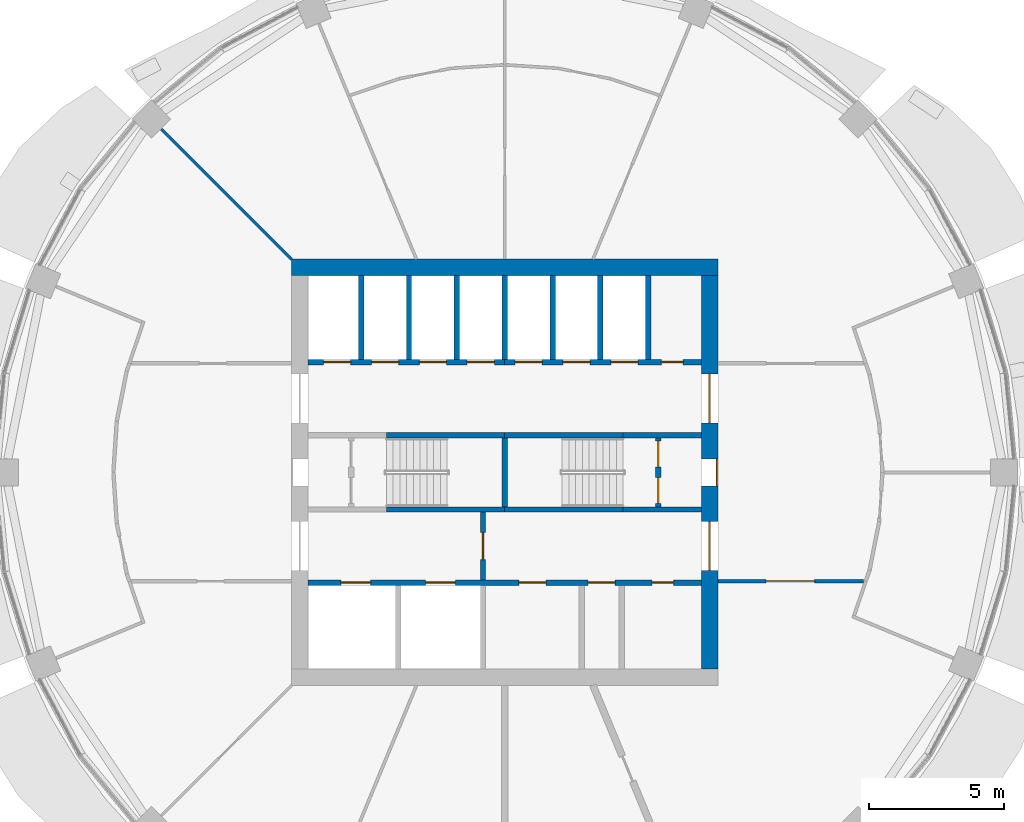
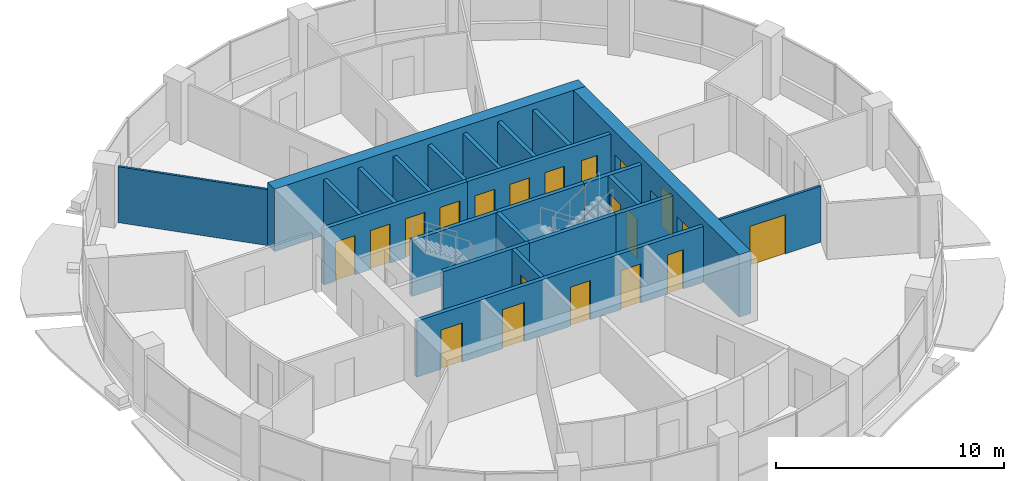
# One storey, part 9 of 15: 23 walls, 20 doors, 20 openings.
"""IFC4 building model written with IfcOpenShell, lengths in metres."""

import ifcopenshell
import ifcopenshell.guid

model = None  # the IFC model being written
_history = None  # IfcOwnerHistory: only IFC2X3 demands one
_inside = {}  # id of a spatial element -> (the spatial element, [elements in it])
_under = {}  # id of a project, library or spatial element -> (it, [spatial elements below it])
_declared = {}  # id of a project -> (the project, [libraries it declares])
_typed = {}  # id of a type object -> (the type object, [elements of that type])
_made_of = {}  # id of a material, layer set ... -> (it, [elements and type objects made of it])


def new_model(schema):
    """Start an empty IFC model of exactly this schema.

    Asked for "IFC4X3", IfcOpenShell would pick the latest addendum, in which some entities
    have other attributes; the version numbers below select the first issue.
    IFC2X3 requires an IfcOwnerHistory on every rooted entity: one is made here for all.
    """
    global model, _history
    if schema == "IFC4X3":
        model = ifcopenshell.file(schema_version=(4, 3, 0, 0))
    else:
        model = ifcopenshell.file(schema=schema)
    _inside.clear()
    _under.clear()
    _declared.clear()
    _typed.clear()
    _made_of.clear()
    _history = None
    if model.schema == "IFC2X3":
        org = make("IfcOrganization", Name="unknown")
        user = make(
            "IfcPersonAndOrganization",
            ThePerson=make("IfcPerson", FamilyName="unknown"),
            TheOrganization=org,
        )
        app = make(
            "IfcApplication",
            ApplicationDeveloper=org,
            Version="unknown",
            ApplicationFullName="unknown",
            ApplicationIdentifier="unknown",
        )
        _history = make(
            "IfcOwnerHistory",
            OwningUser=user,
            OwningApplication=app,
            ChangeAction="ADDED",
            CreationDate=0,
        )
    return model


def make(cls, **values):
    """One entity of the class cls with the attributes given. An attribute that is None is left unset."""
    return model.create_entity(
        cls, **{name: value for name, value in values.items() if value is not None}
    )


def rooted(cls, **values):
    """An entity with a GlobalId (a new one), such as an element, a storey or a relation."""
    return make(cls, GlobalId=ifcopenshell.guid.new(), OwnerHistory=_history, **values)


def si_unit(unit_type, name, prefix=None):
    """IfcSIUnit, for example si_unit("LENGTHUNIT", "METRE", prefix="MILLI")."""
    return make("IfcSIUnit", UnitType=unit_type, Prefix=prefix, Name=name)


def assignment(units):
    """IfcUnitAssignment: the units of a project."""
    return None if units is None else make("IfcUnitAssignment", Units=units)


def point(xyz):
    """IfcCartesianPoint."""
    return None if xyz is None else make("IfcCartesianPoint", Coordinates=xyz)


def direction(xyz):
    """IfcDirection."""
    return None if xyz is None else make("IfcDirection", DirectionRatios=xyz)


def frame(location, z_axis=None, x_axis=None):
    """IfcAxis2Placement3D, a coordinate frame: its origin and axes. An axis left out is left unset."""
    return make(
        "IfcAxis2Placement3D",
        Location=point(location),
        Axis=direction(z_axis),
        RefDirection=direction(x_axis),
    )


def frame_2d(location, x_axis=None):
    """IfcAxis2Placement2D, a coordinate frame in the plane: its origin and x axis."""
    return make(
        "IfcAxis2Placement2D", Location=point(location), RefDirection=direction(x_axis)
    )


def origin():
    """The frame at (0, 0, 0) with its axes left unset."""
    return frame((0.0, 0.0, 0.0))


def place(relative_to, where):
    """IfcLocalPlacement: puts the frame where relative to a parent placement (None: the world)."""
    return make(
        "IfcLocalPlacement", PlacementRelTo=relative_to, RelativePlacement=where
    )


def context(
    kind, dimensions, precision=None, world=None, true_north=None, identifier=None
):
    """IfcGeometricRepresentationContext, for example the 3D "Model" context."""
    return make(
        "IfcGeometricRepresentationContext",
        ContextIdentifier=identifier,
        ContextType=kind,
        CoordinateSpaceDimension=dimensions,
        Precision=precision,
        WorldCoordinateSystem=world,
        TrueNorth=true_north,
    )


def subcontext(parent, identifier, kind, view, scale=None):
    """IfcGeometricRepresentationSubContext, for example "Body" below "Model"."""
    return make(
        "IfcGeometricRepresentationSubContext",
        ContextIdentifier=identifier,
        ContextType=kind,
        ParentContext=parent,
        TargetScale=scale,
        TargetView=view,
    )


def project(units=None, contexts=None):
    """IfcProject with its units and contexts."""
    return rooted(
        "IfcProject",
        Name="project",
        RepresentationContexts=contexts,
        UnitsInContext=assignment(units),
    )


def spatial(cls, under=None, at=None, **own):
    """A site, building, storey or space (cls), placed at a placement, below another one or the project."""
    s = rooted(cls, ObjectPlacement=at, **own)
    if under is not None:
        _under.setdefault(under.id(), (under, []))[1].append(s)
    return s


def profile(cls, at=None, kind="AREA", **sizes):
    """A parametric profile (cls). Its sizes go by their IFC names, for example OverallWidth=200.0."""
    return make(cls, ProfileType=kind, Position=at, **sizes)


def rectangle(**sizes):
    """IfcRectangleProfileDef."""
    return profile("IfcRectangleProfileDef", **sizes)


def extrude(swept, where, along, depth):
    """IfcExtrudedAreaSolid: the profile swept, set in the frame where, extruded along a direction by depth."""
    return make(
        "IfcExtrudedAreaSolid",
        SweptArea=swept,
        Position=where,
        ExtrudedDirection=direction(along),
        Depth=depth,
    )


def shape(context_of_items, identifier, shape_type, items):
    """IfcShapeRepresentation: the items that make up one representation, for example the "Body"."""
    return make(
        "IfcShapeRepresentation",
        ContextOfItems=context_of_items,
        RepresentationIdentifier=identifier,
        RepresentationType=shape_type,
        Items=items,
    )


def material(Name=None, Category=None):
    """IfcMaterial."""
    return make("IfcMaterial", Name=Name, Category=Category)


def layer(
    of_material, thickness, ventilated=None, Name=None, Category=None, Priority=None
):
    """IfcMaterialLayer: one layer of a wall or slab, of a material (None: an air gap)."""
    return make(
        "IfcMaterialLayer",
        Material=of_material,
        LayerThickness=thickness,
        IsVentilated=ventilated,
        Name=Name,
        Category=Category,
        Priority=Priority,
    )


def layer_set(layers, Name=None):
    """IfcMaterialLayerSet."""
    return make("IfcMaterialLayerSet", MaterialLayers=layers, LayerSetName=Name)


def made_of(thing, what):
    """Note that an element or type object is made of a material, layer set ...; save() writes the relation."""
    if what is not None:
        _made_of.setdefault(what.id(), (what, []))[1].append(thing)
    return thing


def type_object(cls, material=None, **own):
    """A type object (cls), such as IfcWallType, which elements share."""
    return made_of(rooted(cls, **own), material)


def element(
    cls,
    number,
    at=None,
    inside=None,
    cuts=None,
    type_object=None,
    material=None,
    context=None,
    identifier="Body",
    shape_type=None,
    held_by="IfcProductDefinitionShape",
    body=None,
    shapes=None,
    **own,
):
    """One element of the class cls, such as IfcWall. Its Tag is "e" and its number.

    at: its placement. inside: the storey or other place that contains it. cuts: it is an
    opening in that element (IfcRelVoidsElement). A single representation is given by context,
    identifier, shape_type and body (its items); several are given by shapes. held_by: the class
    of the entity that holds the representations. save() writes the other relations.
    """
    e = rooted(cls, Tag="e%d" % number, ObjectPlacement=at, **own)
    if body is not None:
        shapes = [shape(context, identifier, shape_type, body)]
    if shapes is not None:
        e.Representation = make(held_by, Representations=shapes)
    if inside is not None:
        _inside.setdefault(inside.id(), (inside, []))[1].append(e)
    if cuts is not None:
        rooted(
            "IfcRelVoidsElement", RelatingBuildingElement=cuts, RelatedOpeningElement=e
        )
    if type_object is not None:
        _typed.setdefault(type_object.id(), (type_object, []))[1].append(e)
    return made_of(e, material)


def fill(opening, filler):
    """IfcRelFillsElement: the door or window that sits in an opening."""
    return rooted(
        "IfcRelFillsElement",
        RelatingOpeningElement=opening,
        RelatedBuildingElement=filler,
    )


def aggregate(whole, parts):
    """IfcRelAggregates: a whole, such as a stair, and the parts it consists of."""
    return rooted("IfcRelAggregates", RelatingObject=whole, RelatedObjects=parts)


def save(model, path):
    """Write the relations noted so far, then the file.

    IfcRelAggregates (storeys below a building ...), IfcRelContainedInSpatialStructure (elements
    in a storey), IfcRelDefinesByType, IfcRelAssociatesMaterial and IfcRelDeclares: one each for
    every whole, place, type object, material and project.
    """
    for whole, parts in _under.values():
        aggregate(whole, parts)
    for where, things in _inside.values():
        rooted(
            "IfcRelContainedInSpatialStructure",
            RelatedElements=things,
            RelatingStructure=where,
        )
    for kind, things in _typed.values():
        rooted("IfcRelDefinesByType", RelatedObjects=things, RelatingType=kind)
    for what, things in _made_of.values():
        rooted("IfcRelAssociatesMaterial", RelatedObjects=things, RelatingMaterial=what)
    for by, libraries in _declared.values():
        rooted("IfcRelDeclares", RelatingContext=by, RelatedDefinitions=libraries)
    model.write(path)


model = new_model("IFC4")

# Units and contexts
model_context = context("Model", 3, precision=1e-05, world=origin(), true_north=direction((0.0, 1.0)))
body_context = subcontext(model_context, "Body", "Model", "MODEL_VIEW")
ifc_project = project(units=[si_unit("LENGTHUNIT", "METRE"), si_unit("AREAUNIT", "SQUARE_METRE"), si_unit("VOLUMEUNIT", "CUBIC_METRE"), si_unit("PLANEANGLEUNIT", "RADIAN"), si_unit("MASSUNIT", "GRAM", prefix="KILO")], contexts=[model_context])

# Site, building, storey
site_placement = place(None, origin())
site = spatial("IfcSite", under=ifc_project, at=site_placement, CompositionType="ELEMENT")
building_placement = place(site_placement, origin())
building = spatial("IfcBuilding", under=site, at=building_placement, Name="Polderwave Tower", CompositionType="ELEMENT")
storey_placement = place(building_placement, frame((0.0, 0.0, 124.300048828125)))
storey = spatial("IfcBuildingStorey", under=building, at=storey_placement, Name="L32", CompositionType="ELEMENT", Elevation=124.300048828125)

# Wall
ifc_material_1 = material(Name="Concrete C60/75", Category="concrete")
ifc_layer_1 = layer(ifc_material_1, 0.60009765625)
ifc_layer_set_1 = layer_set([ifc_layer_1], Name="CORE WALL 600 C60/75")
wall_type_1 = type_object("IfcWallType", Name="CORE WALL 600 C60/75", PredefinedType="SHEAR", material=ifc_layer_set_1)
wall_1_placement = place(storey_placement, frame((-7.8740234375, 7.573974609375, 0.0), z_axis=(0.0, 0.0, 1.0), x_axis=(1.0, 0.0, 0.0)))
element("IfcWall", 1, at=wall_1_placement, inside=storey, type_object=wall_type_1, Name="ST-CORE-L32-N", PredefinedType="SHEAR", context=body_context, shape_type="SweptSolid", body=[
    extrude(rectangle(XDim=15.748046875, YDim=0.60009765625, at=frame_2d((7.8740234375, 0.0))), origin(), (0.0, 0.0, 1.0), 3.349853515625),
])

# Wall, openings, doors
wall_2_placement = place(storey_placement, frame((7.573974609375, -7.27392578125, 0.0), z_axis=(0.0, 0.0, 1.0), x_axis=(0.0, 1.0, 0.0)))
wall_2 = element("IfcWall", 2, at=wall_2_placement, inside=storey, type_object=wall_type_1, Name="ST-CORE-L32-E", PredefinedType="SHEAR", context=body_context, shape_type="SweptSolid", body=[
    extrude(rectangle(XDim=14.5478515625, YDim=0.60009765625, at=frame_2d((7.27392578125, 0.0))), origin(), (0.0, 0.0, 1.0), 3.349853515625),
])
opening_1_placement = place(wall_2_placement, frame((6.77392578125, 0.0, 0.0)))
opening_1 = element("IfcOpeningElement", 3, at=opening_1_placement, cuts=wall_2, Name="Opening L32-D22", PredefinedType="OPENING", context=body_context, shape_type="SweptSolid", body=[
    extrude(rectangle(XDim=1.0, YDim=2.10009765625, at=frame_2d((0.5, 1.050048828125))), frame((0.0, 0.31005859375, 0.0), z_axis=(0.0, -1.0, 0.0), x_axis=(1.0, 0.0, 0.0)), (0.0, 0.0, 1.0), 0.6201171875),
])
opening_2_placement = place(wall_2_placement, frame((3.6494140625, 0.0, 0.0)))
opening_2 = element("IfcOpeningElement", 4, at=opening_2_placement, cuts=wall_2, Name="Opening L32-D23", PredefinedType="OPENING", context=body_context, shape_type="SweptSolid", body=[
    extrude(rectangle(XDim=1.800048828125, YDim=2.10009765625, at=frame_2d((0.89990234375, 1.050048828125))), frame((0.0, 0.31005859375, 0.0), z_axis=(0.0, -1.0, 0.0), x_axis=(1.0, 0.0, 0.0)), (0.0, 0.0, 1.0), 0.6201171875),
])
opening_3_placement = place(wall_2_placement, frame((9.098388671875, 0.0, 0.0)))
opening_3 = element("IfcOpeningElement", 5, at=opening_3_placement, cuts=wall_2, Name="Opening L32-D24", PredefinedType="OPENING", context=body_context, shape_type="SweptSolid", body=[
    extrude(rectangle(XDim=1.800048828125, YDim=2.10009765625, at=frame_2d((0.89990234375, 1.050048828125))), frame((0.0, 0.31005859375, 0.0), z_axis=(0.0, -1.0, 0.0), x_axis=(1.0, 0.0, 0.0)), (0.0, 0.0, 1.0), 0.6201171875),
])
ifc_material_2 = material(Name="Steel fire door", Category="steel")
door_type_1 = type_object("IfcDoorType", Name="Lobby entry door pair 1800", OperationType="DOUBLE_DOOR_SINGLE_SWING", PredefinedType="DOOR", material=ifc_material_2)
door_1_placement = place(opening_2_placement, frame((1.800048828125, 0.0, 0.0), z_axis=(0.0, 0.0, 1.0), x_axis=(-1.0, 0.0, 0.0)))
door_1 = element("IfcDoor", 6, at=door_1_placement, inside=storey, type_object=door_type_1, Name="South lobby entry door", OperationType="DOUBLE_DOOR_SINGLE_SWING", OverallHeight=2.10009765625, OverallWidth=1.800048828125, PredefinedType="DOOR", context=body_context, shape_type="SweptSolid", body=[
    extrude(rectangle(XDim=1.800048828125, YDim=2.10009765625, at=frame_2d((0.89990234375, 1.050048828125))), frame((0.0, 0.02490234375, 0.0), z_axis=(0.0, -1.0, 0.0), x_axis=(1.0, 0.0, 0.0)), (0.0, 0.0, 1.0), 0.050048828125),
])
fill(opening_2, door_1)
door_2_placement = place(opening_3_placement, frame((1.800048828125, 0.0, 0.0), z_axis=(0.0, 0.0, 1.0), x_axis=(-1.0, 0.0, 0.0)))
door_2 = element("IfcDoor", 7, at=door_2_placement, inside=storey, type_object=door_type_1, Name="North lobby entry door", OperationType="DOUBLE_DOOR_SINGLE_SWING", OverallHeight=2.10009765625, OverallWidth=1.800048828125, PredefinedType="DOOR", context=body_context, shape_type="SweptSolid", body=[
    extrude(rectangle(XDim=1.800048828125, YDim=2.10009765625, at=frame_2d((0.89990234375, 1.050048828125))), frame((0.0, 0.02490234375, 0.0), z_axis=(0.0, -1.0, 0.0), x_axis=(1.0, 0.0, 0.0)), (0.0, 0.0, 1.0), 0.050048828125),
])
fill(opening_3, door_2)
door_type_2 = type_object("IfcDoorType", Name="Stair door 1000", OperationType="NOTDEFINED", PredefinedType="DOOR", material=ifc_material_2)
door_3_placement = place(opening_1_placement, frame((1.0, 0.0, 0.0), z_axis=(0.0, 0.0, 1.0), x_axis=(-1.0, 0.0, 0.0)))
door_3 = element("IfcDoor", 8, at=door_3_placement, inside=storey, type_object=door_type_2, Name="Stair B entry door", OperationType="SINGLE_SWING_LEFT", OverallHeight=2.10009765625, OverallWidth=1.0, PredefinedType="DOOR", context=body_context, shape_type="SweptSolid", body=[
    extrude(rectangle(XDim=1.0, YDim=2.10009765625, at=frame_2d((0.5, 1.050048828125))), frame((0.0, 0.2998046875, 0.0), z_axis=(0.0, -1.0, 0.0), x_axis=(1.0, 0.0, 0.0)), (0.0, 0.0, 1.0), 0.050048828125),
])
fill(opening_1, door_3)

# Wall, opening, door
ifc_material_3 = material(Name="Gypsum board partition")
ifc_layer_2 = layer(ifc_material_3, 0.199951171875)
ifc_layer_set_2 = layer_set([ifc_layer_2], Name="Core room partition 200")
wall_type_2 = type_object("IfcWallType", Name="Core room partition 200", PredefinedType="PARTITIONING", material=ifc_layer_set_2)
wall_3_placement = place(storey_placement, frame((-0.800048828125, -3.97412109375, 0.0), z_axis=(0.0, 0.0, 1.0), x_axis=(0.0, 1.0, 0.0)))
wall_3 = element("IfcWall", 9, at=wall_3_placement, inside=storey, type_object=wall_type_2, Name="L32 fire-fighting lobby wall", PredefinedType="PARTITIONING", context=body_context, shape_type="SweptSolid", body=[
    extrude(rectangle(XDim=2.4990234375, YDim=0.199951171875, at=frame_2d((1.24951171875, 0.0))), origin(), (0.0, 0.0, 1.0), 3.0),
])
opening_4_placement = place(wall_3_placement, frame((0.74951171875, 0.0, 0.0)))
opening_4 = element("IfcOpeningElement", 10, at=opening_4_placement, cuts=wall_3, Name="Opening L32-D14", PredefinedType="OPENING", context=body_context, shape_type="SweptSolid", body=[
    extrude(rectangle(XDim=1.0, YDim=2.10009765625, at=frame_2d((0.5, 1.050048828125))), frame((0.0, 0.10986328125, 0.0), z_axis=(0.0, -1.0, 0.0), x_axis=(1.0, 0.0, 0.0)), (0.0, 0.0, 1.0), 0.219970703125),
])
door_type_3 = type_object("IfcDoorType", Name="Lobby fire door 1000", OperationType="NOTDEFINED", PredefinedType="DOOR", material=ifc_material_2)
door_4_placement = place(opening_4_placement, frame((1.0, 0.0, 0.0), z_axis=(0.0, 0.0, 1.0), x_axis=(-1.0, 0.0, 0.0)))
door_4 = element("IfcDoor", 11, at=door_4_placement, inside=storey, type_object=door_type_3, Name="Fire-fighting lobby door", OperationType="SINGLE_SWING_LEFT", OverallHeight=2.10009765625, OverallWidth=1.0, PredefinedType="DOOR", context=body_context, shape_type="SweptSolid", body=[
    extrude(rectangle(XDim=1.0, YDim=2.10009765625, at=frame_2d((0.5, 1.050048828125))), frame((0.0, 0.02490234375, 0.0), z_axis=(0.0, -1.0, 0.0), x_axis=(1.0, 0.0, 0.0)), (0.0, 0.0, 1.0), 0.050048828125),
])
fill(opening_4, door_4)

# Wall, openings, doors
wall_4_placement = place(storey_placement, frame((5.674072265625, -1.27490234375, 0.0), z_axis=(0.0, 0.0, 1.0), x_axis=(0.0, 1.0, 0.0)))
wall_4 = element("IfcWall", 12, at=wall_4_placement, inside=storey, type_object=wall_type_2, Name="L32 smoke lobby wall B", PredefinedType="PARTITIONING", context=body_context, shape_type="SweptSolid", body=[
    extrude(rectangle(XDim=2.5498046875, YDim=0.199951171875, at=frame_2d((1.27490234375, 0.0))), origin(), (0.0, 0.0, 1.0), 3.0),
])
opening_5_placement = place(wall_4_placement, frame((0.125, 0.0, 0.0)))
opening_5 = element("IfcOpeningElement", 13, at=opening_5_placement, cuts=wall_4, Name="Opening L32-D12", PredefinedType="OPENING", context=body_context, shape_type="SweptSolid", body=[
    extrude(rectangle(XDim=0.949951171875, YDim=2.10009765625, at=frame_2d((0.47509765625, 1.050048828125))), frame((0.0, 0.10986328125, 0.0), z_axis=(0.0, -1.0, 0.0), x_axis=(1.0, 0.0, 0.0)), (0.0, 0.0, 1.0), 0.219970703125),
])
opening_6_placement = place(wall_4_placement, frame((1.47509765625, 0.0, 0.0)))
opening_6 = element("IfcOpeningElement", 14, at=opening_6_placement, cuts=wall_4, Name="Opening L32-D13", PredefinedType="OPENING", context=body_context, shape_type="SweptSolid", body=[
    extrude(rectangle(XDim=0.949951171875, YDim=2.10009765625, at=frame_2d((0.47509765625, 1.050048828125))), frame((0.0, 0.10986328125, 0.0), z_axis=(0.0, -1.0, 0.0), x_axis=(1.0, 0.0, 0.0)), (0.0, 0.0, 1.0), 0.219970703125),
])
door_type_4 = type_object("IfcDoorType", Name="Smoke lobby door 950", OperationType="NOTDEFINED", PredefinedType="DOOR", material=ifc_material_2)
door_5_placement = place(opening_5_placement, frame((0.949951171875, 0.0, 0.0), z_axis=(0.0, 0.0, 1.0), x_axis=(-1.0, 0.0, 0.0)))
door_5 = element("IfcDoor", 15, at=door_5_placement, inside=storey, type_object=door_type_4, Name="Stair B smoke lobby inner door", OperationType="SINGLE_SWING_RIGHT", OverallHeight=2.10009765625, OverallWidth=0.949951171875, PredefinedType="DOOR", context=body_context, shape_type="SweptSolid", body=[
    extrude(rectangle(XDim=0.949951171875, YDim=2.10009765625, at=frame_2d((0.47509765625, 1.050048828125))), frame((0.0, 0.02490234375, 0.0), z_axis=(0.0, -1.0, 0.0), x_axis=(1.0, 0.0, 0.0)), (0.0, 0.0, 1.0), 0.050048828125),
])
fill(opening_5, door_5)
door_6_placement = place(opening_6_placement, frame((0.949951171875, 0.0, 0.0), z_axis=(0.0, 0.0, 1.0), x_axis=(-1.0, 0.0, 0.0)))
door_6 = element("IfcDoor", 16, at=door_6_placement, inside=storey, type_object=door_type_4, Name="Stair B smoke lobby inner door", OperationType="SINGLE_SWING_LEFT", OverallHeight=2.10009765625, OverallWidth=0.949951171875, PredefinedType="DOOR", context=body_context, shape_type="SweptSolid", body=[
    extrude(rectangle(XDim=0.949951171875, YDim=2.10009765625, at=frame_2d((0.47509765625, 1.050048828125))), frame((0.0, 0.02490234375, 0.0), z_axis=(0.0, -1.0, 0.0), x_axis=(1.0, 0.0, 0.0)), (0.0, 0.0, 1.0), 0.050048828125),
])
fill(opening_6, door_6)

ifc_material_4 = material(Name="Concrete C50/60", Category="concrete")
ifc_layer_3 = layer(ifc_material_4, 0.199951171875)
ifc_layer_set_3 = layer_set([ifc_layer_3], Name="Core web wall 200")
wall_type_3 = type_object("IfcWallType", Name="Core web wall 200", PredefinedType="SHEAR", material=ifc_layer_set_3)
wall_5_placement = place(storey_placement, frame((-7.27392578125, -4.073974609375, 0.0), z_axis=(0.0, 0.0, 1.0), x_axis=(1.0, 0.0, 0.0)))
wall_5 = element("IfcWall", 17, at=wall_5_placement, inside=storey, type_object=wall_type_3, Name="L32 south front wall", PredefinedType="SHEAR", context=body_context, shape_type="SweptSolid", body=[
    extrude(rectangle(XDim=14.5478515625, YDim=0.199951171875, at=frame_2d((7.27392578125, 0.0))), origin(), (0.0, 0.0, 1.0), 3.0),
])
opening_7_placement = place(wall_5_placement, frame((1.218505859375, 0.0, 0.0)))
opening_7 = element("IfcOpeningElement", 18, at=opening_7_placement, cuts=wall_5, Name="Opening L32-D01", PredefinedType="OPENING", context=body_context, shape_type="SweptSolid", body=[
    extrude(rectangle(XDim=1.10009765625, YDim=2.10009765625, at=frame_2d((0.550048828125, 1.050048828125))), frame((0.0, 0.10986328125, 0.0), z_axis=(0.0, -1.0, 0.0), x_axis=(1.0, 0.0, 0.0)), (0.0, 0.0, 1.0), 0.219970703125),
])
opening_8_placement = place(wall_5_placement, frame((4.35546875, 0.0, 0.0)))
opening_8 = element("IfcOpeningElement", 19, at=opening_8_placement, cuts=wall_5, Name="Opening L32-D02", PredefinedType="OPENING", context=body_context, shape_type="SweptSolid", body=[
    extrude(rectangle(XDim=1.10009765625, YDim=2.10009765625, at=frame_2d((0.550048828125, 1.050048828125))), frame((0.0, 0.10986328125, 0.0), z_axis=(0.0, -1.0, 0.0), x_axis=(1.0, 0.0, 0.0)), (0.0, 0.0, 1.0), 0.219970703125),
])
opening_9_placement = place(wall_5_placement, frame((7.79541015625, 0.0, 0.0)))
opening_9 = element("IfcOpeningElement", 20, at=opening_9_placement, cuts=wall_5, Name="Opening L32-D15", PredefinedType="OPENING", context=body_context, shape_type="SweptSolid", body=[
    extrude(rectangle(XDim=1.0, YDim=2.10009765625, at=frame_2d((0.5, 1.050048828125))), frame((0.0, 0.10986328125, 0.0), z_axis=(0.0, -1.0, 0.0), x_axis=(1.0, 0.0, 0.0)), (0.0, 0.0, 1.0), 0.219970703125),
])
opening_10_placement = place(wall_5_placement, frame((10.356201171875, 0.0, 0.0)))
opening_10 = element("IfcOpeningElement", 21, at=opening_10_placement, cuts=wall_5, Name="Opening L32-D16", PredefinedType="OPENING", context=body_context, shape_type="SweptSolid", body=[
    extrude(rectangle(XDim=1.0, YDim=2.10009765625, at=frame_2d((0.5, 1.050048828125))), frame((0.0, 0.10986328125, 0.0), z_axis=(0.0, -1.0, 0.0), x_axis=(1.0, 0.0, 0.0)), (0.0, 0.0, 1.0), 0.219970703125),
])
opening_11_placement = place(wall_5_placement, frame((12.7216796875, 0.0, 0.0)))
opening_11 = element("IfcOpeningElement", 22, at=opening_11_placement, cuts=wall_5, Name="Opening L32-D17", PredefinedType="OPENING", context=body_context, shape_type="SweptSolid", body=[
    extrude(rectangle(XDim=0.800048828125, YDim=2.10009765625, at=frame_2d((0.39990234375, 1.050048828125))), frame((0.0, 0.10986328125, 0.0), z_axis=(0.0, -1.0, 0.0), x_axis=(1.0, 0.0, 0.0)), (0.0, 0.0, 1.0), 0.219970703125),
])
ifc_material_5 = material(Name="Stainless steel", Category="steel")
door_type_5 = type_object("IfcDoorType", Name="Fire-fighting lift landing door 1100", OperationType="DOUBLE_DOOR_SLIDING", PredefinedType="DOOR", material=ifc_material_5)
door_7_placement = place(opening_7_placement, origin())
door_7 = element("IfcDoor", 23, at=door_7_placement, inside=storey, type_object=door_type_5, Name="Fire-fighting lift FF1 landing door", OperationType="DOUBLE_DOOR_SLIDING", OverallHeight=2.10009765625, OverallWidth=1.10009765625, PredefinedType="DOOR", context=body_context, shape_type="SweptSolid", body=[
    extrude(rectangle(XDim=1.10009765625, YDim=2.10009765625, at=frame_2d((0.550048828125, 1.050048828125))), frame((0.0, 0.02490234375, 0.0), z_axis=(0.0, -1.0, 0.0), x_axis=(1.0, 0.0, 0.0)), (0.0, 0.0, 1.0), 0.050048828125),
])
fill(opening_7, door_7)
door_8_placement = place(opening_8_placement, origin())
door_8 = element("IfcDoor", 24, at=door_8_placement, inside=storey, type_object=door_type_5, Name="Fire-fighting lift FF2 landing door", OperationType="DOUBLE_DOOR_SLIDING", OverallHeight=2.10009765625, OverallWidth=1.10009765625, PredefinedType="DOOR", context=body_context, shape_type="SweptSolid", body=[
    extrude(rectangle(XDim=1.10009765625, YDim=2.10009765625, at=frame_2d((0.550048828125, 1.050048828125))), frame((0.0, 0.02490234375, 0.0), z_axis=(0.0, -1.0, 0.0), x_axis=(1.0, 0.0, 0.0)), (0.0, 0.0, 1.0), 0.050048828125),
])
fill(opening_8, door_8)
door_type_6 = type_object("IfcDoorType", Name="Riser door 800", OperationType="NOTDEFINED", PredefinedType="DOOR", material=ifc_material_2)
door_9_placement = place(opening_11_placement, origin())
door_9 = element("IfcDoor", 25, at=door_9_placement, inside=storey, type_object=door_type_6, Name="Communications room door", OperationType="SINGLE_SWING_RIGHT", OverallHeight=2.10009765625, OverallWidth=0.800048828125, PredefinedType="DOOR", context=body_context, shape_type="SweptSolid", body=[
    extrude(rectangle(XDim=0.800048828125, YDim=2.10009765625, at=frame_2d((0.39990234375, 1.050048828125))), frame((0.0, 0.02490234375, 0.0), z_axis=(0.0, -1.0, 0.0), x_axis=(1.0, 0.0, 0.0)), (0.0, 0.0, 1.0), 0.050048828125),
])
fill(opening_11, door_9)
ifc_material_6 = material(Name="Timber door leaf", Category="wood")
door_type_7 = type_object("IfcDoorType", Name="Room door 1000", OperationType="NOTDEFINED", PredefinedType="DOOR", material=ifc_material_6)
door_10_placement = place(opening_9_placement, frame((1.0, 0.0, 0.0), z_axis=(0.0, 0.0, 1.0), x_axis=(-1.0, 0.0, 0.0)))
door_10 = element("IfcDoor", 26, at=door_10_placement, inside=storey, type_object=door_type_7, Name="Pantry door", OperationType="SINGLE_SWING_LEFT", OverallHeight=2.10009765625, OverallWidth=1.0, PredefinedType="DOOR", context=body_context, shape_type="SweptSolid", body=[
    extrude(rectangle(XDim=1.0, YDim=2.10009765625, at=frame_2d((0.5, 1.050048828125))), frame((0.0, 0.02490234375, 0.0), z_axis=(0.0, -1.0, 0.0), x_axis=(1.0, 0.0, 0.0)), (0.0, 0.0, 1.0), 0.050048828125),
])
fill(opening_9, door_10)
door_11_placement = place(opening_10_placement, frame((1.0, 0.0, 0.0), z_axis=(0.0, 0.0, 1.0), x_axis=(-1.0, 0.0, 0.0)))
door_11 = element("IfcDoor", 27, at=door_11_placement, inside=storey, type_object=door_type_7, Name="Cleaner's store door", OperationType="SINGLE_SWING_LEFT", OverallHeight=2.10009765625, OverallWidth=1.0, PredefinedType="DOOR", context=body_context, shape_type="SweptSolid", body=[
    extrude(rectangle(XDim=1.0, YDim=2.10009765625, at=frame_2d((0.5, 1.050048828125))), frame((0.0, 0.02490234375, 0.0), z_axis=(0.0, -1.0, 0.0), x_axis=(1.0, 0.0, 0.0)), (0.0, 0.0, 1.0), 0.050048828125),
])
fill(opening_10, door_11)

wall_6_placement = place(storey_placement, frame((-7.27392578125, 4.073974609375, 0.0), z_axis=(0.0, 0.0, 1.0), x_axis=(1.0, 0.0, 0.0)))
wall_6 = element("IfcWall", 28, at=wall_6_placement, inside=storey, type_object=wall_type_3, Name="L32 north front wall 1", PredefinedType="SHEAR", context=body_context, shape_type="SweptSolid", body=[
    extrude(rectangle(XDim=7.27392578125, YDim=0.199951171875, at=frame_2d((3.636962890625, 0.0))), origin(), (0.0, 0.0, 1.0), 3.0),
])
opening_12_placement = place(wall_6_placement, frame((0.584228515625, 0.0, 0.0)))
opening_12 = element("IfcOpeningElement", 29, at=opening_12_placement, cuts=wall_6, Name="Opening L32-D03", PredefinedType="OPENING", context=body_context, shape_type="SweptSolid", body=[
    extrude(rectangle(XDim=1.0, YDim=2.10009765625, at=frame_2d((0.5, 1.050048828125))), frame((0.0, 0.10986328125, 0.0), z_axis=(0.0, -1.0, 0.0), x_axis=(1.0, 0.0, 0.0)), (0.0, 0.0, 1.0), 0.219970703125),
])
opening_13_placement = place(wall_6_placement, frame((2.352783203125, 0.0, 0.0)))
opening_13 = element("IfcOpeningElement", 30, at=opening_13_placement, cuts=wall_6, Name="Opening L32-D04", PredefinedType="OPENING", context=body_context, shape_type="SweptSolid", body=[
    extrude(rectangle(XDim=1.0, YDim=2.10009765625, at=frame_2d((0.5, 1.050048828125))), frame((0.0, 0.10986328125, 0.0), z_axis=(0.0, -1.0, 0.0), x_axis=(1.0, 0.0, 0.0)), (0.0, 0.0, 1.0), 0.219970703125),
])
opening_14_placement = place(wall_6_placement, frame((4.12109375, 0.0, 0.0)))
opening_14 = element("IfcOpeningElement", 31, at=opening_14_placement, cuts=wall_6, Name="Opening L32-D05", PredefinedType="OPENING", context=body_context, shape_type="SweptSolid", body=[
    extrude(rectangle(XDim=1.0, YDim=2.10009765625, at=frame_2d((0.5, 1.050048828125))), frame((0.0, 0.10986328125, 0.0), z_axis=(0.0, -1.0, 0.0), x_axis=(1.0, 0.0, 0.0)), (0.0, 0.0, 1.0), 0.219970703125),
])
opening_15_placement = place(wall_6_placement, frame((5.889892578125, 0.0, 0.0)))
opening_15 = element("IfcOpeningElement", 32, at=opening_15_placement, cuts=wall_6, Name="Opening L32-D06", PredefinedType="OPENING", context=body_context, shape_type="SweptSolid", body=[
    extrude(rectangle(XDim=1.0, YDim=2.10009765625, at=frame_2d((0.5, 1.050048828125))), frame((0.0, 0.10986328125, 0.0), z_axis=(0.0, -1.0, 0.0), x_axis=(1.0, 0.0, 0.0)), (0.0, 0.0, 1.0), 0.219970703125),
])
door_type_8 = type_object("IfcDoorType", Name="Lift landing door 1000", OperationType="DOUBLE_DOOR_SLIDING", PredefinedType="DOOR", material=ifc_material_5)
door_12_placement = place(opening_12_placement, frame((1.0, 0.0, 0.0), z_axis=(0.0, 0.0, 1.0), x_axis=(-1.0, 0.0, 0.0)))
door_12 = element("IfcDoor", 33, at=door_12_placement, inside=storey, type_object=door_type_8, Name="Lift HL1 landing door", OperationType="DOUBLE_DOOR_SLIDING", OverallHeight=2.10009765625, OverallWidth=1.0, PredefinedType="DOOR", context=body_context, shape_type="SweptSolid", body=[
    extrude(rectangle(XDim=1.0, YDim=2.10009765625, at=frame_2d((0.5, 1.050048828125))), frame((0.0, 0.02490234375, 0.0), z_axis=(0.0, -1.0, 0.0), x_axis=(1.0, 0.0, 0.0)), (0.0, 0.0, 1.0), 0.050048828125),
])
fill(opening_12, door_12)
door_13_placement = place(opening_13_placement, frame((1.0, 0.0, 0.0), z_axis=(0.0, 0.0, 1.0), x_axis=(-1.0, 0.0, 0.0)))
door_13 = element("IfcDoor", 34, at=door_13_placement, inside=storey, type_object=door_type_8, Name="Lift HL2 landing door", OperationType="DOUBLE_DOOR_SLIDING", OverallHeight=2.10009765625, OverallWidth=1.0, PredefinedType="DOOR", context=body_context, shape_type="SweptSolid", body=[
    extrude(rectangle(XDim=1.0, YDim=2.10009765625, at=frame_2d((0.5, 1.050048828125))), frame((0.0, 0.02490234375, 0.0), z_axis=(0.0, -1.0, 0.0), x_axis=(1.0, 0.0, 0.0)), (0.0, 0.0, 1.0), 0.050048828125),
])
fill(opening_13, door_13)
door_14_placement = place(opening_14_placement, frame((1.0, 0.0, 0.0), z_axis=(0.0, 0.0, 1.0), x_axis=(-1.0, 0.0, 0.0)))
door_14 = element("IfcDoor", 35, at=door_14_placement, inside=storey, type_object=door_type_8, Name="Lift HL3 landing door", OperationType="DOUBLE_DOOR_SLIDING", OverallHeight=2.10009765625, OverallWidth=1.0, PredefinedType="DOOR", context=body_context, shape_type="SweptSolid", body=[
    extrude(rectangle(XDim=1.0, YDim=2.10009765625, at=frame_2d((0.5, 1.050048828125))), frame((0.0, 0.02490234375, 0.0), z_axis=(0.0, -1.0, 0.0), x_axis=(1.0, 0.0, 0.0)), (0.0, 0.0, 1.0), 0.050048828125),
])
fill(opening_14, door_14)
door_15_placement = place(opening_15_placement, frame((1.0, 0.0, 0.0), z_axis=(0.0, 0.0, 1.0), x_axis=(-1.0, 0.0, 0.0)))
door_15 = element("IfcDoor", 36, at=door_15_placement, inside=storey, type_object=door_type_8, Name="Lift HL4 landing door", OperationType="DOUBLE_DOOR_SLIDING", OverallHeight=2.10009765625, OverallWidth=1.0, PredefinedType="DOOR", context=body_context, shape_type="SweptSolid", body=[
    extrude(rectangle(XDim=1.0, YDim=2.10009765625, at=frame_2d((0.5, 1.050048828125))), frame((0.0, 0.02490234375, 0.0), z_axis=(0.0, -1.0, 0.0), x_axis=(1.0, 0.0, 0.0)), (0.0, 0.0, 1.0), 0.050048828125),
])
fill(opening_15, door_15)

wall_7_placement = place(storey_placement, frame((0.0, 4.073974609375, 0.0), z_axis=(0.0, 0.0, 1.0), x_axis=(1.0, 0.0, 0.0)))
wall_7 = element("IfcWall", 37, at=wall_7_placement, inside=storey, type_object=wall_type_3, Name="L32 north front wall 2", PredefinedType="SHEAR", context=body_context, shape_type="SweptSolid", body=[
    extrude(rectangle(XDim=7.27392578125, YDim=0.199951171875, at=frame_2d((3.636962890625, 0.0))), origin(), (0.0, 0.0, 1.0), 3.0),
])
opening_16_placement = place(wall_7_placement, frame((0.38427734375, 0.0, 0.0)))
opening_16 = element("IfcOpeningElement", 38, at=opening_16_placement, cuts=wall_7, Name="Opening L32-D07", PredefinedType="OPENING", context=body_context, shape_type="SweptSolid", body=[
    extrude(rectangle(XDim=1.0, YDim=2.10009765625, at=frame_2d((0.5, 1.050048828125))), frame((0.0, 0.10986328125, 0.0), z_axis=(0.0, -1.0, 0.0), x_axis=(1.0, 0.0, 0.0)), (0.0, 0.0, 1.0), 0.219970703125),
])
opening_17_placement = place(wall_7_placement, frame((2.15283203125, 0.0, 0.0)))
opening_17 = element("IfcOpeningElement", 39, at=opening_17_placement, cuts=wall_7, Name="Opening L32-D08", PredefinedType="OPENING", context=body_context, shape_type="SweptSolid", body=[
    extrude(rectangle(XDim=1.0, YDim=2.10009765625, at=frame_2d((0.5, 1.050048828125))), frame((0.0, 0.10986328125, 0.0), z_axis=(0.0, -1.0, 0.0), x_axis=(1.0, 0.0, 0.0)), (0.0, 0.0, 1.0), 0.219970703125),
])
opening_18_placement = place(wall_7_placement, frame((3.921142578125, 0.0, 0.0)))
opening_18 = element("IfcOpeningElement", 40, at=opening_18_placement, cuts=wall_7, Name="Opening L32-D09", PredefinedType="OPENING", context=body_context, shape_type="SweptSolid", body=[
    extrude(rectangle(XDim=1.0, YDim=2.10009765625, at=frame_2d((0.5, 1.050048828125))), frame((0.0, 0.10986328125, 0.0), z_axis=(0.0, -1.0, 0.0), x_axis=(1.0, 0.0, 0.0)), (0.0, 0.0, 1.0), 0.219970703125),
])
opening_19_placement = place(wall_7_placement, frame((5.789794921875, 0.0, 0.0)))
opening_19 = element("IfcOpeningElement", 41, at=opening_19_placement, cuts=wall_7, Name="Opening L32-D18", PredefinedType="OPENING", context=body_context, shape_type="SweptSolid", body=[
    extrude(rectangle(XDim=0.800048828125, YDim=2.10009765625, at=frame_2d((0.39990234375, 1.050048828125))), frame((0.0, 0.10986328125, 0.0), z_axis=(0.0, -1.0, 0.0), x_axis=(1.0, 0.0, 0.0)), (0.0, 0.0, 1.0), 0.219970703125),
])
door_16_placement = place(opening_16_placement, frame((1.0, 0.0, 0.0), z_axis=(0.0, 0.0, 1.0), x_axis=(-1.0, 0.0, 0.0)))
door_16 = element("IfcDoor", 42, at=door_16_placement, inside=storey, type_object=door_type_8, Name="Lift HL5 landing door", OperationType="DOUBLE_DOOR_SLIDING", OverallHeight=2.10009765625, OverallWidth=1.0, PredefinedType="DOOR", context=body_context, shape_type="SweptSolid", body=[
    extrude(rectangle(XDim=1.0, YDim=2.10009765625, at=frame_2d((0.5, 1.050048828125))), frame((0.0, 0.02490234375, 0.0), z_axis=(0.0, -1.0, 0.0), x_axis=(1.0, 0.0, 0.0)), (0.0, 0.0, 1.0), 0.050048828125),
])
fill(opening_16, door_16)
door_17_placement = place(opening_17_placement, frame((1.0, 0.0, 0.0), z_axis=(0.0, 0.0, 1.0), x_axis=(-1.0, 0.0, 0.0)))
door_17 = element("IfcDoor", 43, at=door_17_placement, inside=storey, type_object=door_type_8, Name="Lift HL6 landing door", OperationType="DOUBLE_DOOR_SLIDING", OverallHeight=2.10009765625, OverallWidth=1.0, PredefinedType="DOOR", context=body_context, shape_type="SweptSolid", body=[
    extrude(rectangle(XDim=1.0, YDim=2.10009765625, at=frame_2d((0.5, 1.050048828125))), frame((0.0, 0.02490234375, 0.0), z_axis=(0.0, -1.0, 0.0), x_axis=(1.0, 0.0, 0.0)), (0.0, 0.0, 1.0), 0.050048828125),
])
fill(opening_17, door_17)
door_18_placement = place(opening_18_placement, frame((1.0, 0.0, 0.0), z_axis=(0.0, 0.0, 1.0), x_axis=(-1.0, 0.0, 0.0)))
door_18 = element("IfcDoor", 44, at=door_18_placement, inside=storey, type_object=door_type_8, Name="Lift HL7 landing door", OperationType="DOUBLE_DOOR_SLIDING", OverallHeight=2.10009765625, OverallWidth=1.0, PredefinedType="DOOR", context=body_context, shape_type="SweptSolid", body=[
    extrude(rectangle(XDim=1.0, YDim=2.10009765625, at=frame_2d((0.5, 1.050048828125))), frame((0.0, 0.02490234375, 0.0), z_axis=(0.0, -1.0, 0.0), x_axis=(1.0, 0.0, 0.0)), (0.0, 0.0, 1.0), 0.050048828125),
])
fill(opening_18, door_18)
door_19_placement = place(opening_19_placement, frame((0.800048828125, 0.0, 0.0), z_axis=(0.0, 0.0, 1.0), x_axis=(-1.0, 0.0, 0.0)))
door_19 = element("IfcDoor", 45, at=door_19_placement, inside=storey, type_object=door_type_6, Name="Riser door", OperationType="SINGLE_SWING_LEFT", OverallHeight=2.10009765625, OverallWidth=0.800048828125, PredefinedType="DOOR", context=body_context, shape_type="SweptSolid", body=[
    extrude(rectangle(XDim=0.800048828125, YDim=2.10009765625, at=frame_2d((0.39990234375, 1.050048828125))), frame((0.0, 0.02490234375, 0.0), z_axis=(0.0, -1.0, 0.0), x_axis=(1.0, 0.0, 0.0)), (0.0, 0.0, 1.0), 0.050048828125),
])
fill(opening_19, door_19)

# Walls
for number, where, z_axis, x_axis, name in (
    (46, (-4.3740234375, -1.375, 0.0), (0.0, 0.0, 1.0), (1.0, 0.0, 0.0), "L32 south stair wall 2"),
    (47, (0.0, -1.375, 0.0), (0.0, 0.0, 1.0), (1.0, 0.0, 0.0), "L32 south stair wall 3"),
):
    element("IfcWall", number, at=place(storey_placement, frame(where, z_axis=z_axis, x_axis=x_axis)), inside=storey, type_object=wall_type_3, Name=name, PredefinedType="SHEAR", context=body_context, shape_type="SweptSolid", body=[
        extrude(rectangle(XDim=4.3740234375, YDim=0.199951171875, at=frame_2d((2.18701171875, 0.0))), origin(), (0.0, 0.0, 1.0), 3.0),
    ])
wall_8_placement = place(storey_placement, frame((4.3740234375, -1.375, 0.0), z_axis=(0.0, 0.0, 1.0), x_axis=(1.0, 0.0, 0.0)))
element("IfcWall", 48, at=wall_8_placement, inside=storey, type_object=wall_type_3, Name="L32 south stair wall 4", PredefinedType="SHEAR", context=body_context, shape_type="SweptSolid", body=[
    extrude(rectangle(XDim=2.89990234375, YDim=0.199951171875, at=frame_2d((1.449951171875, 0.0))), origin(), (0.0, 0.0, 1.0), 3.0),
])
for number, where, z_axis, x_axis, name in (
    (49, (-4.3740234375, 1.375, 0.0), (0.0, 0.0, 1.0), (1.0, 0.0, 0.0), "L32 north stair wall 2"),
    (50, (0.0, 1.375, 0.0), (0.0, 0.0, 1.0), (1.0, 0.0, 0.0), "L32 north stair wall 3"),
):
    element("IfcWall", number, at=place(storey_placement, frame(where, z_axis=z_axis, x_axis=x_axis)), inside=storey, type_object=wall_type_3, Name=name, PredefinedType="SHEAR", context=body_context, shape_type="SweptSolid", body=[
        extrude(rectangle(XDim=4.3740234375, YDim=0.199951171875, at=frame_2d((2.18701171875, 0.0))), origin(), (0.0, 0.0, 1.0), 3.0),
    ])
wall_9_placement = place(storey_placement, frame((4.3740234375, 1.375, 0.0), z_axis=(0.0, 0.0, 1.0), x_axis=(1.0, 0.0, 0.0)))
element("IfcWall", 51, at=wall_9_placement, inside=storey, type_object=wall_type_3, Name="L32 north stair wall 4", PredefinedType="SHEAR", context=body_context, shape_type="SweptSolid", body=[
    extrude(rectangle(XDim=2.89990234375, YDim=0.199951171875, at=frame_2d((1.449951171875, 0.0))), origin(), (0.0, 0.0, 1.0), 3.0),
])
wall_10_placement = place(storey_placement, frame((0.0, -1.27490234375, 0.0), z_axis=(0.0, 0.0, 1.0), x_axis=(0.0, 1.0, 0.0)))
element("IfcWall", 52, at=wall_10_placement, inside=storey, type_object=wall_type_3, Name="L32 wall between the stairs", PredefinedType="SHEAR", context=body_context, shape_type="SweptSolid", body=[
    extrude(rectangle(XDim=2.5498046875, YDim=0.199951171875, at=frame_2d((1.27490234375, 0.0))), origin(), (0.0, 0.0, 1.0), 3.0),
])

# Wall, opening, door
ifc_material_7 = material(Name="Fire-resisting board on steel studs", Category="steel")
ifc_layer_4 = layer(ifc_material_7, 0.125)
ifc_layer_set_4 = layer_set([ifc_layer_4], Name="Corridor wall 125 mm EI 60")
wall_type_4 = type_object("IfcWallType", Name="Corridor wall 125 mm EI 60", PredefinedType="PARTITIONING", material=ifc_layer_set_4)
wall_11_placement = place(storey_placement, frame((13.257568359375, -4.0244140625, 0.0), z_axis=(0.0, 0.0, 1.0), x_axis=(-1.0, 0.0, 0.0)))
wall_11 = element("IfcWall", 53, at=wall_11_placement, inside=storey, type_object=wall_type_4, Name="IN-L32-W005", PredefinedType="PARTITIONING", context=body_context, shape_type="SweptSolid", body=[
    extrude(rectangle(XDim=5.383544921875, YDim=0.125, at=frame_2d((2.69189453125, 0.0))), origin(), (0.0, 0.0, 1.0), 3.0),
])
opening_20_placement = place(wall_11_placement, frame((1.800048828125, 0.0, 0.0)))
opening_20 = element("IfcOpeningElement", 54, at=opening_20_placement, cuts=wall_11, Name="Opening L32-D52", PredefinedType="OPENING", context=body_context, shape_type="SweptSolid", body=[
    extrude(rectangle(XDim=1.800048828125, YDim=2.10009765625, at=frame_2d((0.89990234375, 1.050048828125))), frame((0.0, 0.072509765625, 0.0), z_axis=(0.0, -1.0, 0.0), x_axis=(1.0, 0.0, 0.0)), (0.0, 0.0, 1.0), 0.14501953125),
])
ifc_material_8 = material(Name="Timber fire door leaves", Category="wood")
door_type_9 = type_object("IfcDoorType", Name="Double fire door FD30S 1800 x 2100", OperationType="NOTDEFINED", PredefinedType="DOOR", material=ifc_material_8)
door_20_placement = place(opening_20_placement, origin())
door_20 = element("IfcDoor", 55, at=door_20_placement, inside=storey, type_object=door_type_9, Name="Door L32-D52", OperationType="DOUBLE_DOOR_SINGLE_SWING", OverallHeight=2.10009765625, OverallWidth=1.800048828125, PredefinedType="DOOR", context=body_context, shape_type="SweptSolid", body=[
    extrude(rectangle(XDim=1.800048828125, YDim=2.10009765625, at=frame_2d((0.89990234375, 1.050048828125))), frame((0.0, 0.02490234375, 0.0), z_axis=(0.0, -1.0, 0.0), x_axis=(1.0, 0.0, 0.0)), (0.0, 0.0, 1.0), 0.050048828125),
])
fill(opening_20, door_20)

# Walls
ifc_material_9 = material(Name="Acoustic double plasterboard on steel studs", Category="steel")
ifc_layer_5 = layer(ifc_material_9, 0.110107421875)
ifc_layer_set_5 = layer_set([ifc_layer_5], Name="Partition 110 mm acoustic double board")
wall_type_5 = type_object("IfcWallType", Name="Partition 110 mm acoustic double board", PredefinedType="PARTITIONING", material=ifc_layer_set_5)
wall_12_placement = place(storey_placement, frame((-7.8740234375, 7.8740234375, 0.0), z_axis=(0.0, 0.0, 1.0), x_axis=(-0.707106781187, 0.707106781187, 0.0)))
element("IfcWall", 56, at=wall_12_placement, inside=storey, type_object=wall_type_5, Name="IN-L32-W032", PredefinedType="PARTITIONING", context=body_context, shape_type="SweptSolid", body=[
    extrude(rectangle(XDim=6.79443359375, YDim=0.110107421875, at=frame_2d((3.397216796875, 0.0))), origin(), (0.0, 0.0, 1.0), 3.0),
])
ifc_material_10 = material(Name="Gypsum shaft wall system")
ifc_layer_6 = layer(ifc_material_10, 0.199951171875)
ifc_layer_set_6 = layer_set([ifc_layer_6], Name="Shaft wall 200")
wall_type_6 = type_object("IfcWallType", Name="Shaft wall 200", PredefinedType="PARTITIONING", material=ifc_layer_set_6)
for number, where, z_axis, x_axis, name in (
    (57, (-5.305419921875, 4.174072265625, 0.0), (0.0, 0.0, 1.0), (0.0, 1.0, 0.0), "L32 lift shaft wall N1"),
    (58, (-3.537109375, 4.174072265625, 0.0), (0.0, 0.0, 1.0), (0.0, 1.0, 0.0), "L32 lift shaft wall N2"),
    (59, (-1.7685546875, 4.174072265625, 0.0), (0.0, 0.0, 1.0), (0.0, 1.0, 0.0), "L32 lift shaft wall N3"),
    (60, (0.0, 4.174072265625, 0.0), (0.0, 0.0, 1.0), (0.0, 1.0, 0.0), "L32 lift shaft wall N4"),
    (61, (1.7685546875, 4.174072265625, 0.0), (0.0, 0.0, 1.0), (0.0, 1.0, 0.0), "L32 lift shaft wall N5"),
    (62, (3.537109375, 4.174072265625, 0.0), (0.0, 0.0, 1.0), (0.0, 1.0, 0.0), "L32 lift shaft wall N6"),
    (63, (5.305419921875, 4.174072265625, 0.0), (0.0, 0.0, 1.0), (0.0, 1.0, 0.0), "L32 lift shaft wall N7"),
):
    element("IfcWall", number, at=place(storey_placement, frame(where, z_axis=z_axis, x_axis=x_axis)), inside=storey, type_object=wall_type_6, Name=name, PredefinedType="PARTITIONING", context=body_context, shape_type="SweptSolid", body=[
        extrude(rectangle(XDim=3.099853515625, YDim=0.199951171875, at=frame_2d((1.5498046875, 0.0))), origin(), (0.0, 0.0, 1.0), 3.0),
    ])

save(model, "model.ifc")
